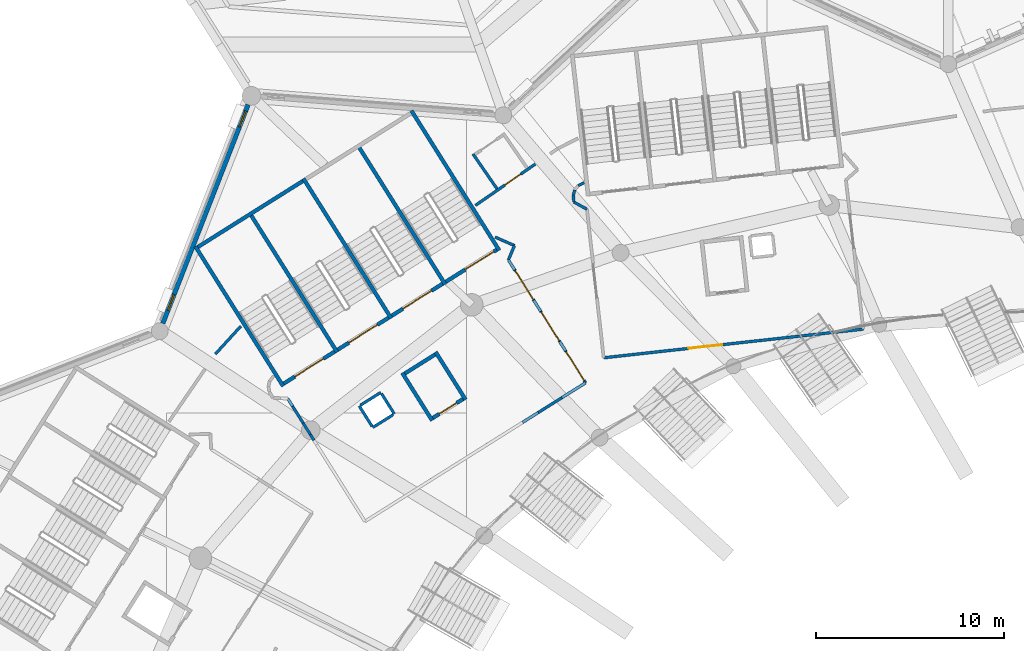
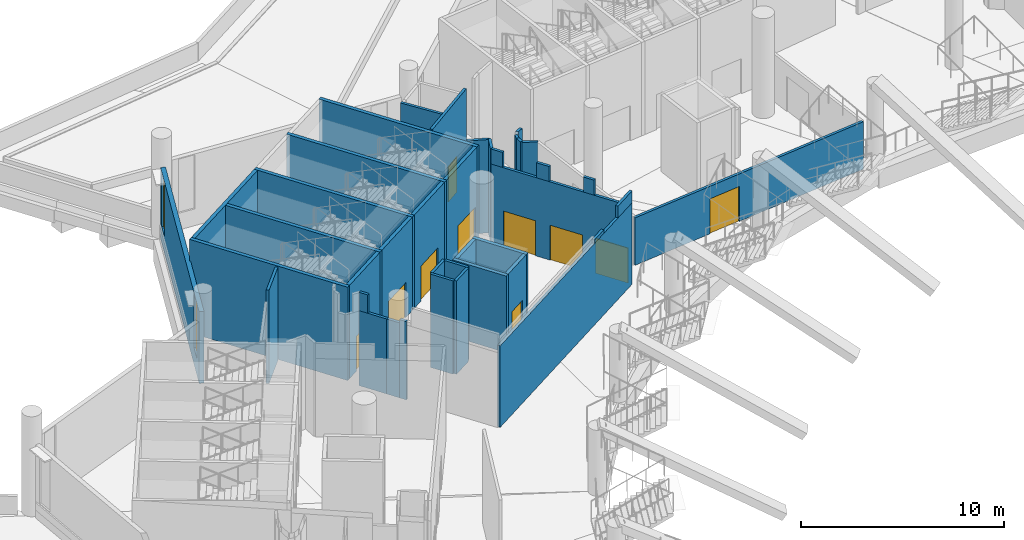
# One storey, part 65 of 173: 40 walls, 10 doors, 2 windows, 12 openings.
"""IFC4 building model written with IfcOpenShell, lengths in metres."""

from ifc_helpers import new_model, si_unit, direction, frame, frame_2d, origin, place, context, subcontext, project, spatial, rectangle, extrude, material, layer, layer_set, type_object, element, fill, save


model = new_model("IFC4")

# Units and contexts
model_context = context("Model", 3, precision=1e-05, world=origin(), true_north=direction((0.0, 1.0)))
body_context = subcontext(model_context, "Body", "Model", "MODEL_VIEW")
ifc_project = project(units=[si_unit("LENGTHUNIT", "METRE"), si_unit("AREAUNIT", "SQUARE_METRE"), si_unit("VOLUMEUNIT", "CUBIC_METRE"), si_unit("PLANEANGLEUNIT", "RADIAN"), si_unit("MASSUNIT", "GRAM", prefix="KILO")], contexts=[model_context])

# Site, building, storey
site_placement = place(None, origin())
site = spatial("IfcSite", under=ifc_project, at=site_placement, CompositionType="ELEMENT")
building_placement = place(site_placement, origin())
building = spatial("IfcBuilding", under=site, at=building_placement, Name="Meseta Stadium", CompositionType="ELEMENT")
storey_placement = place(building_placement, frame((0.0, 0.0, 18.0)))
storey = spatial("IfcBuildingStorey", under=building, at=storey_placement, Name="L03", CompositionType="ELEMENT", Elevation=18.0)

# Walls
ifc_material_1 = material(Name="Concrete C40/50", Category="concrete")
ifc_layer_1 = layer(ifc_material_1, 0.199951171875)
ifc_layer_set_1 = layer_set([ifc_layer_1], Name="Core divider wall 200")
wall_type_1 = type_object("IfcWallType", Name="Core divider wall 200", PredefinedType="SHEAR", material=ifc_layer_set_1)
wall_1_placement = place(storey_placement, frame((-69.8291015625, 94.314453125, 0.0), z_axis=(0.0, 0.0, 1.0), x_axis=(0.532032334759, -0.846724036963, 0.0)))
element("IfcWall", 1, at=wall_1_placement, inside=storey, type_object=wall_type_1, Name="Core 13 L03 stair A divider wall", PredefinedType="SHEAR", context=body_context, shape_type="SweptSolid", body=[
    extrude(rectangle(XDim=8.800048828125, YDim=0.199951171875, at=frame_2d((4.39990234375, 0.0))), origin(), (0.0, 0.0, 1.0), 5.60009765625),
])
wall_2_placement = place(storey_placement, frame((-75.5869140625, 90.696533203125, 0.0), z_axis=(0.0, 0.0, 1.0), x_axis=(0.532044832901, -0.846716183726, 0.0)))
element("IfcWall", 2, at=wall_2_placement, inside=storey, type_object=wall_type_1, Name="Core 13 L03 stair B divider wall", PredefinedType="SHEAR", context=body_context, shape_type="SweptSolid", body=[
    extrude(rectangle(XDim=8.7998046875, YDim=0.199951171875, at=frame_2d((4.39990234375, 0.0))), origin(), (0.0, 0.0, 1.0), 5.60009765625),
])
ifc_material_2 = material(Name="Concrete C40/50", Category="concrete")
ifc_layer_2 = layer(ifc_material_2, 0.199951171875)
ifc_layer_set_2 = layer_set([ifc_layer_2], Name="Core shaft wall 200")
wall_type_2 = type_object("IfcWallType", Name="Core shaft wall 200", PredefinedType="SHEAR", material=ifc_layer_set_2)
for number, where, z_axis, x_axis, name in (
    (3, (-66.9501953125, 96.123291015625, 0.0), (0.0, 0.0, 1.0), (0.532032334759, -0.846724036963, 0.0), "Core 13 L03 stair wall A-side"),
    (4, (-72.7080078125, 92.505615234375, 0.0), (0.0, 0.0, 1.0), (0.532032334759, -0.846724036963, 0.0), "Core 13 L03 stair wall shared"),
    (5, (-78.4658203125, 88.8876953125, 0.0), (0.0, 0.0, 1.0), (0.532032334759, -0.846724036963, 0.0), "Core 13 L03 stair wall B-side"),
):
    element("IfcWall", number, at=place(storey_placement, frame(where, z_axis=z_axis, x_axis=x_axis)), inside=storey, type_object=wall_type_2, Name=name, PredefinedType="SHEAR", context=body_context, shape_type="SweptSolid", body=[
        extrude(rectangle(XDim=8.800048828125, YDim=0.199951171875, at=frame_2d((4.39990234375, 0.0))), origin(), (0.0, 0.0, 1.0), 5.60009765625),
    ])
wall_3_placement = place(storey_placement, frame((-72.739501953125, 92.36767578125, 0.0), z_axis=(0.0, 0.0, 1.0), x_axis=(-0.846719870989, -0.532038964807, 0.0)))
element("IfcWall", 6, at=wall_3_placement, inside=storey, type_object=wall_type_2, Name="Core 13 L03 stair B outer end wall", PredefinedType="SHEAR", context=body_context, shape_type="SweptSolid", body=[
    extrude(rectangle(XDim=6.60009765625, YDim=0.199951171875, at=frame_2d((3.300048828125, 0.0))), origin(), (0.0, 0.0, 1.0), 5.60009765625),
])

# Wall, opening, door
wall_4_placement = place(storey_placement, frame((-62.40625, 88.70361328125, 0.0), z_axis=(0.0, 0.0, 1.0), x_axis=(-0.846735733015, -0.532013720158, 0.0)))
wall_4 = element("IfcWall", 7, at=wall_4_placement, inside=storey, type_object=wall_type_2, Name="Core 13 L03 stair A1 inner end wall", PredefinedType="SHEAR", context=body_context, shape_type="SweptSolid", body=[
    extrude(rectangle(XDim=3.199951171875, YDim=0.199951171875, at=frame_2d((1.60009765625, 0.0))), origin(), (0.0, 0.0, 1.0), 5.60009765625),
])
opening_1_placement = place(wall_4_placement, frame((0.177978515625, 0.0, 0.0)))
opening_1 = element("IfcOpeningElement", 8, at=opening_1_placement, cuts=wall_4, Name="Opening D1352", PredefinedType="OPENING", context=body_context, shape_type="SweptSolid", body=[
    extrude(rectangle(XDim=1.800048828125, YDim=2.10009765625, at=frame_2d((0.89990234375, 1.050048828125))), frame((0.0, 0.10986328125, 0.0), z_axis=(0.0, -1.0, 0.0), x_axis=(1.0, 0.0, 0.0)), (0.0, 0.0, 1.0), 0.219970703125),
])
ifc_material_3 = material(Name="Steel", Category="steel")
door_type_1 = type_object("IfcDoorType", Name="Stair door 1800x2100", OperationType="DOUBLE_DOOR_SINGLE_SWING", PredefinedType="DOOR", material=ifc_material_3)
door_1_placement = place(opening_1_placement, origin())
door_1 = element("IfcDoor", 9, at=door_1_placement, inside=storey, type_object=door_type_1, Name="Stair A1 door 13 L03", OperationType="DOUBLE_DOOR_SINGLE_SWING", OverallHeight=2.10009765625, OverallWidth=1.800048828125, PredefinedType="DOOR", context=body_context, shape_type="SweptSolid", body=[
    extrude(rectangle(XDim=1.800048828125, YDim=2.10009765625, at=frame_2d((0.89990234375, 1.050048828125))), frame((0.0, 0.02490234375, 0.0), z_axis=(0.0, -1.0, 0.0), x_axis=(1.0, 0.0, 0.0)), (0.0, 0.0, 1.0), 0.050048828125),
])
fill(opening_1, door_1)

wall_5_placement = place(storey_placement, frame((-65.28515625, 86.894775390625, 0.0), z_axis=(0.0, 0.0, 1.0), x_axis=(-0.846735733015, -0.532013720158, 0.0)))
wall_5 = element("IfcWall", 10, at=wall_5_placement, inside=storey, type_object=wall_type_2, Name="Core 13 L03 stair A2 inner end wall", PredefinedType="SHEAR", context=body_context, shape_type="SweptSolid", body=[
    extrude(rectangle(XDim=3.199951171875, YDim=0.199951171875, at=frame_2d((1.60009765625, 0.0))), origin(), (0.0, 0.0, 1.0), 5.60009765625),
])
opening_2_placement = place(wall_5_placement, frame((0.699951171875, 0.0, 0.0)))
opening_2 = element("IfcOpeningElement", 11, at=opening_2_placement, cuts=wall_5, Name="Opening D1348", PredefinedType="OPENING", context=body_context, shape_type="SweptSolid", body=[
    extrude(rectangle(XDim=1.800048828125, YDim=2.10009765625, at=frame_2d((0.89990234375, 1.050048828125))), frame((0.0, 0.10986328125, 0.0), z_axis=(0.0, -1.0, 0.0), x_axis=(1.0, 0.0, 0.0)), (0.0, 0.0, 1.0), 0.219970703125),
])
door_2_placement = place(opening_2_placement, origin())
door_2 = element("IfcDoor", 12, at=door_2_placement, inside=storey, type_object=door_type_1, Name="Stair A2 door 13 L03", OperationType="DOUBLE_DOOR_SINGLE_SWING", OverallHeight=2.10009765625, OverallWidth=1.800048828125, PredefinedType="DOOR", context=body_context, shape_type="SweptSolid", body=[
    extrude(rectangle(XDim=1.800048828125, YDim=2.10009765625, at=frame_2d((0.89990234375, 1.050048828125))), frame((0.0, 0.02490234375, 0.0), z_axis=(0.0, -1.0, 0.0), x_axis=(1.0, 0.0, 0.0)), (0.0, 0.0, 1.0), 0.050048828125),
])
fill(opening_2, door_2)

wall_6_placement = place(storey_placement, frame((-68.1640625, 85.0859375, 0.0), z_axis=(0.0, 0.0, 1.0), x_axis=(-0.84670136309, -0.53206841829, 0.0)))
wall_6 = element("IfcWall", 13, at=wall_6_placement, inside=storey, type_object=wall_type_2, Name="Core 13 L03 stair B1 inner end wall", PredefinedType="SHEAR", context=body_context, shape_type="SweptSolid", body=[
    extrude(rectangle(XDim=3.199951171875, YDim=0.199951171875, at=frame_2d((1.60009765625, 0.0))), origin(), (0.0, 0.0, 1.0), 5.60009765625),
])
opening_3_placement = place(wall_6_placement, frame((0.699951171875, 0.0, 0.0)))
opening_3 = element("IfcOpeningElement", 14, at=opening_3_placement, cuts=wall_6, Name="Opening D1346", PredefinedType="OPENING", context=body_context, shape_type="SweptSolid", body=[
    extrude(rectangle(XDim=1.800048828125, YDim=2.10009765625, at=frame_2d((0.89990234375, 1.050048828125))), frame((0.0, 0.10986328125, 0.0), z_axis=(0.0, -1.0, 0.0), x_axis=(1.0, 0.0, 0.0)), (0.0, 0.0, 1.0), 0.219970703125),
])
door_3_placement = place(opening_3_placement, origin())
door_3 = element("IfcDoor", 15, at=door_3_placement, inside=storey, type_object=door_type_1, Name="Stair B1 door 13 L03", OperationType="DOUBLE_DOOR_SINGLE_SWING", OverallHeight=2.10009765625, OverallWidth=1.800048828125, PredefinedType="DOOR", context=body_context, shape_type="SweptSolid", body=[
    extrude(rectangle(XDim=1.800048828125, YDim=2.10009765625, at=frame_2d((0.89990234375, 1.050048828125))), frame((0.0, 0.02490234375, 0.0), z_axis=(0.0, -1.0, 0.0), x_axis=(1.0, 0.0, 0.0)), (0.0, 0.0, 1.0), 0.050048828125),
])
fill(opening_3, door_3)

wall_7_placement = place(storey_placement, frame((-71.04296875, 83.27685546875, 0.0), z_axis=(0.0, 0.0, 1.0), x_axis=(-0.846735733015, -0.532013720158, 0.0)))
wall_7 = element("IfcWall", 16, at=wall_7_placement, inside=storey, type_object=wall_type_2, Name="Core 13 L03 stair B2 inner end wall", PredefinedType="SHEAR", context=body_context, shape_type="SweptSolid", body=[
    extrude(rectangle(XDim=3.199951171875, YDim=0.199951171875, at=frame_2d((1.60009765625, 0.0))), origin(), (0.0, 0.0, 1.0), 5.60009765625),
])
opening_4_placement = place(wall_7_placement, frame((0.699951171875, 0.0, 0.0)))
opening_4 = element("IfcOpeningElement", 17, at=opening_4_placement, cuts=wall_7, Name="Opening D1344", PredefinedType="OPENING", context=body_context, shape_type="SweptSolid", body=[
    extrude(rectangle(XDim=1.800048828125, YDim=2.10009765625, at=frame_2d((0.89990234375, 1.050048828125))), frame((0.0, 0.10986328125, 0.0), z_axis=(0.0, -1.0, 0.0), x_axis=(1.0, 0.0, 0.0)), (0.0, 0.0, 1.0), 0.219970703125),
])
door_4_placement = place(opening_4_placement, origin())
door_4 = element("IfcDoor", 18, at=door_4_placement, inside=storey, type_object=door_type_1, Name="Stair B2 door 13 L03", OperationType="DOUBLE_DOOR_SINGLE_SWING", OverallHeight=2.10009765625, OverallWidth=1.800048828125, PredefinedType="DOOR", context=body_context, shape_type="SweptSolid", body=[
    extrude(rectangle(XDim=1.800048828125, YDim=2.10009765625, at=frame_2d((0.89990234375, 1.050048828125))), frame((0.0, 0.02490234375, 0.0), z_axis=(0.0, -1.0, 0.0), x_axis=(1.0, 0.0, 0.0)), (0.0, 0.0, 1.0), 0.050048828125),
])
fill(opening_4, door_4)

# Walls
wall_8_placement = place(storey_placement, frame((-65.658935546875, 83.260498046875, 0.0), z_axis=(0.0, 0.0, 1.0), x_axis=(0.532074873955, -0.846697306306, 0.0)))
element("IfcWall", 19, at=wall_8_placement, inside=storey, type_object=wall_type_2, Name="Core 13 L03 lift shaft wall left", PredefinedType="SHEAR", context=body_context, shape_type="SweptSolid", body=[
    extrude(rectangle(XDim=3.0, YDim=0.199951171875, at=frame_2d((1.5, 0.0))), origin(), (0.0, 0.0, 1.0), 4.60009765625),
])
wall_9_placement = place(storey_placement, frame((-67.43701171875, 82.143310546875, 0.0), z_axis=(0.0, 0.0, 1.0), x_axis=(0.532038212918, -0.84672034344, 0.0)))
element("IfcWall", 20, at=wall_9_placement, inside=storey, type_object=wall_type_2, Name="Core 13 L03 lift shaft wall right", PredefinedType="SHEAR", context=body_context, shape_type="SweptSolid", body=[
    extrude(rectangle(XDim=3.000244140625, YDim=0.199951171875, at=frame_2d((1.5, 0.0))), origin(), (0.0, 0.0, 1.0), 4.60009765625),
])
wall_10_placement = place(storey_placement, frame((-65.6904296875, 83.122802734375, 0.0), z_axis=(0.0, 0.0, 1.0), x_axis=(-0.846674592738, -0.532111016623, 0.0)))
element("IfcWall", 21, at=wall_10_placement, inside=storey, type_object=wall_type_2, Name="Core 13 L03 lift shaft back wall", PredefinedType="SHEAR", context=body_context, shape_type="SweptSolid", body=[
    extrude(rectangle(XDim=1.89990234375, YDim=0.199951171875, at=frame_2d((0.949951171875, 0.0))), origin(), (0.0, 0.0, 1.0), 4.60009765625),
])

# Wall, opening, door
wall_11_placement = place(storey_placement, frame((-64.20068359375, 80.751708984375, 0.0), z_axis=(0.0, 0.0, 1.0), x_axis=(-0.846768850524, -0.531961007765, 0.0)))
wall_11 = element("IfcWall", 22, at=wall_11_placement, inside=storey, type_object=wall_type_2, Name="Core 13 L03 lift shaft front wall", PredefinedType="SHEAR", context=body_context, shape_type="SweptSolid", body=[
    extrude(rectangle(XDim=1.900146484375, YDim=0.199951171875, at=frame_2d((0.9501953125, 0.0))), origin(), (0.0, 0.0, 1.0), 4.60009765625),
])
opening_5_placement = place(wall_11_placement, frame((0.39990234375, 0.0, 0.0)))
opening_5 = element("IfcOpeningElement", 23, at=opening_5_placement, cuts=wall_11, Name="Opening LD72", PredefinedType="OPENING", context=body_context, shape_type="SweptSolid", body=[
    extrude(rectangle(XDim=1.10009765625, YDim=2.10009765625, at=frame_2d((0.550048828125, 1.050048828125))), frame((0.0, 0.10986328125, 0.0), z_axis=(0.0, -1.0, 0.0), x_axis=(1.0, 0.0, 0.0)), (0.0, 0.0, 1.0), 0.219970703125),
])
ifc_material_4 = material(Name="Steel", Category="steel")
door_type_2 = type_object("IfcDoorType", Name="Lift landing door 1100x2100", OperationType="SLIDING_TO_LEFT", PredefinedType="DOOR", material=ifc_material_4)
door_5_placement = place(opening_5_placement, origin())
door_5 = element("IfcDoor", 24, at=door_5_placement, inside=storey, type_object=door_type_2, Name="Lift landing door LD72", OperationType="SLIDING_TO_RIGHT", OverallHeight=2.10009765625, OverallWidth=1.10009765625, PredefinedType="DOOR", context=body_context, shape_type="SweptSolid", body=[
    extrude(rectangle(XDim=1.10009765625, YDim=2.10009765625, at=frame_2d((0.550048828125, 1.050048828125))), frame((0.0, 0.02490234375, 0.0), z_axis=(0.0, -1.0, 0.0), x_axis=(1.0, 0.0, 0.0)), (0.0, 0.0, 1.0), 0.050048828125),
])
fill(opening_5, door_5)

ifc_material_5 = material(Name="Masonry blockwork", Category="masonry")
ifc_layer_3 = layer(ifc_material_5, 0.14990234375)
ifc_layer_set_3 = layer_set([ifc_layer_3], Name="Partition 150")
wall_type_3 = type_object("IfcWallType", Name="Partition 150", PredefinedType="PARTITIONING", material=ifc_layer_set_3)
wall_12_placement = place(storey_placement, frame((-60.348388671875, 93.272216796875, 0.0), z_axis=(0.0, 0.0, 1.0), x_axis=(-0.823118384127, -0.567869814053, 0.0)))
wall_12 = element("IfcWall", 25, at=wall_12_placement, inside=storey, type_object=wall_type_3, Name="Partition L03 L03-cell11-1-0", PredefinedType="PARTITIONING", context=body_context, shape_type="SweptSolid", body=[
    extrude(rectangle(XDim=3.876708984375, YDim=0.14990234375, at=frame_2d((1.9384765625, 0.0))), origin(), (0.0, 0.0, 1.0), 5.60009765625),
])
opening_6_placement = place(wall_12_placement, frame((0.949951171875, 0.0, 0.0)))
opening_6 = element("IfcOpeningElement", 26, at=opening_6_placement, cuts=wall_12, Name="Opening D1355", PredefinedType="OPENING", context=body_context, shape_type="SweptSolid", body=[
    extrude(rectangle(XDim=1.0, YDim=2.10009765625, at=frame_2d((0.5, 1.050048828125))), frame((0.0, 0.0849609375, 0.0), z_axis=(0.0, -1.0, 0.0), x_axis=(1.0, 0.0, 0.0)), (0.0, 0.0, 1.0), 0.169921875),
])
ifc_material_6 = material(Name="Steel", Category="steel")
door_type_3 = type_object("IfcDoorType", Name="Fire door 1000x2100 EI2 60", OperationType="NOTDEFINED", PredefinedType="DOOR", material=ifc_material_6)
door_6_placement = place(opening_6_placement, origin())
door_6 = element("IfcDoor", 27, at=door_6_placement, inside=storey, type_object=door_type_3, Name="Room door L03 L03-cell11-1-0", OperationType="SINGLE_SWING_LEFT", OverallHeight=2.10009765625, OverallWidth=1.0, PredefinedType="DOOR", context=body_context, shape_type="SweptSolid", body=[
    extrude(rectangle(XDim=1.0, YDim=2.10009765625, at=frame_2d((0.5, 1.050048828125))), frame((0.0, 0.02490234375, 0.0), z_axis=(0.0, -1.0, 0.0), x_axis=(1.0, 0.0, 0.0)), (0.0, 0.0, 1.0), 0.050048828125),
])
fill(opening_6, door_6)

# Walls
wall_13_placement = place(storey_placement, frame((-76.033935546875, 84.6416015625, 0.0), z_axis=(0.0, 0.0, 1.0), x_axis=(-0.674206513209, -0.738542874548, 0.0)))
element("IfcWall", 28, at=wall_13_placement, inside=storey, type_object=wall_type_3, Name="Partition L03 L03-cell12-1-0", PredefinedType="PARTITIONING", context=body_context, shape_type="SweptSolid", body=[
    extrude(rectangle(XDim=2.0263671875, YDim=0.14990234375, at=frame_2d((1.01318359375, 0.0))), origin(), (0.0, 0.0, 1.0), 5.60009765625),
])
wall_14_placement = place(storey_placement, frame((-57.74609375, 92.279296875, 0.0), z_axis=(0.0, 0.0, 1.0), x_axis=(-0.893189909604, -0.449679647506, 0.0)))
element("IfcWall", 29, at=wall_14_placement, inside=storey, type_object=wall_type_3, Name="Stair vestibule wall L03 core 12", PredefinedType="PARTITIONING", context=body_context, shape_type="SweptSolid", body=[
    extrude(rectangle(XDim=0.356201171875, YDim=0.14990234375, at=frame_2d((0.17822265625, 0.0))), origin(), (0.0, 0.0, 1.0), 2.913818359375),
])
wall_15_placement = place(storey_placement, frame((-58.241943359375, 91.896484375, 0.0), z_axis=(0.0, 0.0, 1.0), x_axis=(-0.277006965163, -0.960867910408, 0.0)))
element("IfcWall", 30, at=wall_15_placement, inside=storey, type_object=wall_type_3, Name="Stair vestibule wall L03 core 12", PredefinedType="PARTITIONING", context=body_context, shape_type="SweptSolid", body=[
    extrude(rectangle(XDim=0.281982421875, YDim=0.14990234375, at=frame_2d((0.14111328125, 0.0))), origin(), (0.0, 0.0, 1.0), 2.913818359375),
])
wall_16_placement = place(storey_placement, frame((-58.320068359375, 91.62548828125, 0.0), z_axis=(0.0, 0.0, 1.0), x_axis=(0.07351223589, -0.997294315222, 0.0)))
element("IfcWall", 31, at=wall_16_placement, inside=storey, type_object=wall_type_3, Name="Stair vestibule wall L03 core 12", PredefinedType="PARTITIONING", context=body_context, shape_type="SweptSolid", body=[
    extrude(rectangle(XDim=0.375244140625, YDim=0.14990234375, at=frame_2d((0.1875, 0.0))), origin(), (0.0, 0.0, 1.0), 2.913818359375),
])
wall_17_placement = place(storey_placement, frame((-58.29248046875, 91.251220703125, 0.0), z_axis=(0.0, 0.0, 1.0), x_axis=(0.876874903877, -0.48071863179, 0.0)))
element("IfcWall", 32, at=wall_17_placement, inside=storey, type_object=wall_type_3, Name="Stair vestibule wall L03 core 12", PredefinedType="PARTITIONING", context=body_context, shape_type="SweptSolid", body=[
    extrude(rectangle(XDim=0.796875, YDim=0.14990234375, at=frame_2d((0.3984375, 0.0))), origin(), (0.0, 0.0, 1.0), 2.913818359375),
])

# Wall, opening, door
wall_18_placement = place(storey_placement, frame((-56.701416015625, 82.94921875, 0.0), z_axis=(0.0, 0.0, 1.0), x_axis=(0.993954751051, 0.109790495325, 0.0)))
wall_18 = element("IfcWall", 33, at=wall_18_placement, inside=storey, type_object=wall_type_3, Name="Stair vestibule wall L03 core 12", PredefinedType="PARTITIONING", context=body_context, shape_type="SweptSolid", body=[
    extrude(rectangle(XDim=13.92041015625, YDim=0.14990234375, at=frame_2d((6.960205078125, 0.0))), origin(), (0.0, 0.0, 1.0), 2.85009765625),
])
opening_7_placement = place(wall_18_placement, frame((4.550048828125, 0.0, 0.0)))
opening_7 = element("IfcOpeningElement", 34, at=opening_7_placement, cuts=wall_18, Name="Opening D1366", PredefinedType="OPENING", context=body_context, shape_type="SweptSolid", body=[
    extrude(rectangle(XDim=1.800048828125, YDim=2.10009765625, at=frame_2d((0.89990234375, 1.050048828125))), frame((0.0, 0.0849609375, 0.0), z_axis=(0.0, -1.0, 0.0), x_axis=(1.0, 0.0, 0.0)), (0.0, 0.0, 1.0), 0.169921875),
])
ifc_material_7 = material(Name="Steel", Category="steel")
door_type_4 = type_object("IfcDoorType", Name="Fire double door 1800x2100 EI2 60", OperationType="DOUBLE_DOOR_SINGLE_SWING", PredefinedType="DOOR", material=ifc_material_7)
door_7_placement = place(opening_7_placement, origin())
door_7 = element("IfcDoor", 35, at=door_7_placement, inside=storey, type_object=door_type_4, Name="Stair vestibule door L03 core 12", OperationType="DOUBLE_DOOR_SINGLE_SWING", OverallHeight=2.10009765625, OverallWidth=1.800048828125, PredefinedType="DOOR", context=body_context, shape_type="SweptSolid", body=[
    extrude(rectangle(XDim=1.800048828125, YDim=2.10009765625, at=frame_2d((0.89990234375, 1.050048828125))), frame((0.0, 0.02490234375, 0.0), z_axis=(0.0, -1.0, 0.0), x_axis=(1.0, 0.0, 0.0)), (0.0, 0.0, 1.0), 0.050048828125),
])
fill(opening_7, door_7)

# Walls
for number, where, z_axis, x_axis, name in (
    (36, (-68.58203125, 81.09912109375, 0.0), (0.0, 0.0, 1.0), (-0.846683377265, -0.532097038765, 0.0), "Pressurisation shaft wall L03 core 13"),
    (37, (-69.72509765625, 80.380859375, 0.0), (0.0, 0.0, 1.0), (0.532097038765, -0.846683377265, 0.0), "Pressurisation shaft wall L03 core 13"),
):
    element("IfcWall", number, at=place(storey_placement, frame(where, z_axis=z_axis, x_axis=x_axis)), inside=storey, type_object=wall_type_3, Name=name, PredefinedType="PARTITIONING", context=body_context, shape_type="SweptSolid", body=[
        extrude(rectangle(XDim=1.275146484375, YDim=0.14990234375, at=frame_2d((0.6376953125, 0.0))), origin(), (0.0, 0.0, 1.0), 5.60009765625),
    ])
for number, where, z_axis, x_axis, name in (
    (38, (-69.0068359375, 79.23779296875, 0.0), (0.0, 0.0, 1.0), (0.846769635862, 0.531959757672, 0.0), "Pressurisation shaft wall L03 core 13"),
    (39, (-67.86376953125, 79.9560546875, 0.0), (0.0, 0.0, 1.0), (-0.531959757672, 0.846769635862, 0.0), "Pressurisation shaft wall L03 core 13"),
):
    element("IfcWall", number, at=place(storey_placement, frame(where, z_axis=z_axis, x_axis=x_axis)), inside=storey, type_object=wall_type_3, Name=name, PredefinedType="PARTITIONING", context=body_context, shape_type="SweptSolid", body=[
        extrude(rectangle(XDim=1.27490234375, YDim=0.14990234375, at=frame_2d((0.637451171875, 0.0))), origin(), (0.0, 0.0, 1.0), 5.60009765625),
    ])
wall_19_placement = place(storey_placement, frame((-73.539306640625, 80.774658203125, 0.0), z_axis=(0.0, 0.0, 1.0), x_axis=(0.532103006557, -0.846679626785, 0.0)))
element("IfcWall", 40, at=wall_19_placement, inside=storey, type_object=wall_type_3, Name="Stair vestibule wall L03 core 13", PredefinedType="PARTITIONING", context=body_context, shape_type="SweptSolid", body=[
    extrude(rectangle(XDim=1.531982421875, YDim=0.14990234375, at=frame_2d((0.76611328125, 0.0))), origin(), (0.0, 0.0, 1.0), 4.5),
])
wall_20_placement = place(storey_placement, frame((-73.539306640625, 80.774658203125, 4.5), z_axis=(0.0, 0.0, 1.0), x_axis=(0.532357724529, -0.846519493653, 0.0)))
element("IfcWall", 41, at=wall_20_placement, inside=storey, type_object=wall_type_3, Name="Stair vestibule wall L03 core 13", PredefinedType="PARTITIONING", context=body_context, shape_type="SweptSolid", body=[
    extrude(rectangle(XDim=0.4833984375, YDim=0.14990234375, at=frame_2d((0.24169921875, 0.0))), origin(), (0.0, 0.0, 1.0), 1.10009765625),
])
wall_21_placement = place(storey_placement, frame((-69.425048828125, 74.227294921875, 0.0), z_axis=(0.0, 0.0, 1.0), x_axis=(0.84672500752, 0.532030790124, 0.0)))
element("IfcWall", 42, at=wall_21_placement, inside=storey, type_object=wall_type_3, Name="Stair vestibule wall L03 core 13", PredefinedType="PARTITIONING", context=body_context, shape_type="SweptSolid", body=[
    extrude(rectangle(XDim=13.889892578125, YDim=0.14990234375, at=frame_2d((6.94482421875, 0.0))), origin(), (0.0, 0.0, 1.0), 4.893798828125),
])
wall_22_placement = place(storey_placement, frame((-61.0244140625, 79.505615234375, 4.893798828125), z_axis=(0.0, 0.0, 1.0), x_axis=(0.846737900462, 0.532010270503, 0.0)))
element("IfcWall", 43, at=wall_22_placement, inside=storey, type_object=wall_type_3, Name="Stair vestibule wall L03 core 13", PredefinedType="PARTITIONING", context=body_context, shape_type="SweptSolid", body=[
    extrude(rectangle(XDim=0.9921875, YDim=0.14990234375, at=frame_2d((0.49609375, 0.0))), origin(), (0.0, 0.0, 1.0), 0.208740234375),
])
wall_23_placement = place(storey_placement, frame((-58.92431640625, 80.8251953125, 4.893798828125), z_axis=(0.0, 0.0, 1.0), x_axis=(0.846687220735, 0.532090922911, 0.0)))
element("IfcWall", 44, at=wall_23_placement, inside=storey, type_object=wall_type_3, Name="Stair vestibule wall L03 core 13", PredefinedType="PARTITIONING", context=body_context, shape_type="SweptSolid", body=[
    extrude(rectangle(XDim=1.488525390625, YDim=0.14990234375, at=frame_2d((0.744140625, 0.0))), origin(), (0.0, 0.0, 1.0), 0.706298828125),
])

# Wall, openings, doors
wall_24_placement = place(storey_placement, frame((-57.6640625, 81.6171875, 0.0), z_axis=(0.0, 0.0, 1.0), x_axis=(-0.531998245041, 0.84674545601, 0.0)))
wall_24 = element("IfcWall", 45, at=wall_24_placement, inside=storey, type_object=wall_type_3, Name="Stair vestibule wall L03 core 13", PredefinedType="PARTITIONING", context=body_context, shape_type="SweptSolid", body=[
    extrude(rectangle(XDim=7.732666015625, YDim=0.14990234375, at=frame_2d((3.8662109375, 0.0))), origin(), (0.0, 0.0, 1.0), 4.699951171875),
])
opening_8_placement = place(wall_24_placement, frame((2.64990234375, 0.0, 0.0)))
opening_8 = element("IfcOpeningElement", 46, at=opening_8_placement, cuts=wall_24, Name="Opening D1357", PredefinedType="OPENING", context=body_context, shape_type="SweptSolid", body=[
    extrude(rectangle(XDim=1.800048828125, YDim=2.10009765625, at=frame_2d((0.89990234375, 1.050048828125))), frame((0.0, 0.0849609375, 0.0), z_axis=(0.0, -1.0, 0.0), x_axis=(1.0, 0.0, 0.0)), (0.0, 0.0, 1.0), 0.169921875),
])
opening_9_placement = place(wall_24_placement, frame((5.25, 0.0, 0.0)))
opening_9 = element("IfcOpeningElement", 47, at=opening_9_placement, cuts=wall_24, Name="Opening D1356", PredefinedType="OPENING", context=body_context, shape_type="SweptSolid", body=[
    extrude(rectangle(XDim=1.800048828125, YDim=2.10009765625, at=frame_2d((0.89990234375, 1.050048828125))), frame((0.0, 0.0849609375, 0.0), z_axis=(0.0, -1.0, 0.0), x_axis=(1.0, 0.0, 0.0)), (0.0, 0.0, 1.0), 0.169921875),
])
opening_10_placement = place(wall_24_placement, frame((0.14990234375, 0.0, 0.0)))
opening_10 = element("IfcOpeningElement", 48, at=opening_10_placement, cuts=wall_24, Name="Opening D1359", PredefinedType="OPENING", context=body_context, shape_type="SweptSolid", body=[
    extrude(rectangle(XDim=1.800048828125, YDim=2.10009765625, at=frame_2d((0.89990234375, 1.050048828125))), frame((0.0, 0.0849609375, 0.0), z_axis=(0.0, -1.0, 0.0), x_axis=(1.0, 0.0, 0.0)), (0.0, 0.0, 1.0), 0.169921875),
])
door_8_placement = place(opening_8_placement, origin())
door_8 = element("IfcDoor", 49, at=door_8_placement, inside=storey, type_object=door_type_4, Name="Stair vestibule door L03 core 13", OperationType="DOUBLE_DOOR_SINGLE_SWING", OverallHeight=2.10009765625, OverallWidth=1.800048828125, PredefinedType="DOOR", context=body_context, shape_type="SweptSolid", body=[
    extrude(rectangle(XDim=1.800048828125, YDim=2.10009765625, at=frame_2d((0.89990234375, 1.050048828125))), frame((0.0, 0.02490234375, 0.0), z_axis=(0.0, -1.0, 0.0), x_axis=(1.0, 0.0, 0.0)), (0.0, 0.0, 1.0), 0.050048828125),
])
fill(opening_8, door_8)
door_9_placement = place(opening_9_placement, origin())
door_9 = element("IfcDoor", 50, at=door_9_placement, inside=storey, type_object=door_type_4, Name="Stair vestibule door L03 core 13", OperationType="DOUBLE_DOOR_SINGLE_SWING", OverallHeight=2.10009765625, OverallWidth=1.800048828125, PredefinedType="DOOR", context=body_context, shape_type="SweptSolid", body=[
    extrude(rectangle(XDim=1.800048828125, YDim=2.10009765625, at=frame_2d((0.89990234375, 1.050048828125))), frame((0.0, 0.02490234375, 0.0), z_axis=(0.0, -1.0, 0.0), x_axis=(1.0, 0.0, 0.0)), (0.0, 0.0, 1.0), 0.050048828125),
])
fill(opening_9, door_9)
door_10_placement = place(opening_10_placement, origin())
door_10 = element("IfcDoor", 51, at=door_10_placement, inside=storey, type_object=door_type_4, Name="Stair vestibule door L03 core 13", OperationType="DOUBLE_DOOR_SINGLE_SWING", OverallHeight=2.10009765625, OverallWidth=1.800048828125, PredefinedType="DOOR", context=body_context, shape_type="SweptSolid", body=[
    extrude(rectangle(XDim=1.800048828125, YDim=2.10009765625, at=frame_2d((0.89990234375, 1.050048828125))), frame((0.0, 0.02490234375, 0.0), z_axis=(0.0, -1.0, 0.0), x_axis=(1.0, 0.0, 0.0)), (0.0, 0.0, 1.0), 0.050048828125),
])
fill(opening_10, door_10)

# Walls
wall_25_placement = place(storey_placement, frame((-60.05810546875, 85.427490234375, 4.699951171875), z_axis=(0.0, 0.0, 1.0), x_axis=(-0.531878658438, 0.846820578811, 0.0)))
element("IfcWall", 52, at=wall_25_placement, inside=storey, type_object=wall_type_3, Name="Stair vestibule wall L03 core 13", PredefinedType="PARTITIONING", context=body_context, shape_type="SweptSolid", body=[
    extrude(rectangle(XDim=0.699951171875, YDim=0.14990234375, at=frame_2d((0.35009765625, 0.0))), origin(), (0.0, 0.0, 1.0), 0.900146484375),
])
wall_26_placement = place(storey_placement, frame((-61.44140625, 87.62890625, 4.699951171875), z_axis=(0.0, 0.0, 1.0), x_axis=(-0.53169733716, 0.846934437638, 0.0)))
element("IfcWall", 53, at=wall_26_placement, inside=storey, type_object=wall_type_3, Name="Stair vestibule wall L03 core 13", PredefinedType="PARTITIONING", context=body_context, shape_type="SweptSolid", body=[
    extrude(rectangle(XDim=0.6328125, YDim=0.14990234375, at=frame_2d((0.31640625, 0.0))), origin(), (0.0, 0.0, 1.0), 0.900146484375),
])
wall_27_placement = place(storey_placement, frame((-61.77783203125, 88.164794921875, 0.0), z_axis=(0.0, 0.0, 1.0), x_axis=(0.385241733665, 0.92281569484, 0.0)))
element("IfcWall", 54, at=wall_27_placement, inside=storey, type_object=wall_type_3, Name="Stair vestibule wall L03 core 13", PredefinedType="PARTITIONING", context=body_context, shape_type="SweptSolid", body=[
    extrude(rectangle(XDim=0.830078125, YDim=0.14990234375, at=frame_2d((0.4150390625, 0.0))), origin(), (0.0, 0.0, 1.0), 5.60009765625),
])
wall_28_placement = place(storey_placement, frame((-61.4580078125, 88.930908203125, 0.0), z_axis=(0.0, 0.0, 1.0), x_axis=(-0.916321285773, 0.400443880263, 0.0)))
element("IfcWall", 55, at=wall_28_placement, inside=storey, type_object=wall_type_3, Name="Stair vestibule wall L03 core 13", PredefinedType="PARTITIONING", context=body_context, shape_type="SweptSolid", body=[
    extrude(rectangle(XDim=1.127197265625, YDim=0.14990234375, at=frame_2d((0.5634765625, 0.0))), origin(), (0.0, 0.0, 1.0), 5.60009765625),
])
wall_29_placement = place(storey_placement, frame((-72.72412109375, 79.4775390625, 0.0), z_axis=(0.0, 0.0, 1.0), x_axis=(0.531986173683, -0.846753040154, 0.0)))
element("IfcWall", 56, at=wall_29_placement, inside=storey, type_object=wall_type_3, Name="Stair vestibule wall L03 core 13", PredefinedType="PARTITIONING", context=body_context, shape_type="SweptSolid", body=[
    extrude(rectangle(XDim=0.728271484375, YDim=0.14990234375, at=frame_2d((0.3642578125, 0.0))), origin(), (0.0, 0.0, 1.0), 4.5),
])
wall_30_placement = place(storey_placement, frame((-72.336669921875, 78.86083984375, 0.0), z_axis=(0.0, 0.0, 1.0), x_axis=(0.532226455425, -0.84660203174, 0.0)))
element("IfcWall", 57, at=wall_30_placement, inside=storey, type_object=wall_type_3, Name="Stair vestibule wall L03 core 13", PredefinedType="PARTITIONING", context=body_context, shape_type="SweptSolid", body=[
    extrude(rectangle(XDim=0.3642578125, YDim=0.14990234375, at=frame_2d((0.18212890625, 0.0))), origin(), (0.0, 0.0, 1.0), 4.699951171875),
])
wall_31_placement = place(storey_placement, frame((-62.38720703125, 91.956787109375, 0.0), z_axis=(0.0, 0.0, 1.0), x_axis=(-0.567877492691, 0.823113086578, 0.0)))
element("IfcWall", 58, at=wall_31_placement, inside=storey, type_object=wall_type_3, Name="Partition L03 L03-cell11-1-0 vestibule", PredefinedType="PARTITIONING", context=body_context, shape_type="SweptSolid", body=[
    extrude(rectangle(XDim=2.249755859375, YDim=0.14990234375, at=frame_2d((1.125, 0.0))), origin(), (0.0, 0.0, 1.0), 5.60009765625),
])
wall_32_placement = place(storey_placement, frame((-58.72802734375, 83.310546875, 4.699951171875), z_axis=(0.0, 0.0, 1.0), x_axis=(-0.532154880846, 0.846647023731, 0.0)))
element("IfcWall", 59, at=wall_32_placement, inside=storey, type_object=wall_type_3, Name="Stair vestibule wall L03 core 13", PredefinedType="PARTITIONING", context=body_context, shape_type="SweptSolid", body=[
    extrude(rectangle(XDim=0.60009765625, YDim=0.14990234375, at=frame_2d((0.300048828125, 0.0))), origin(), (0.0, 0.0, 1.0), 0.900146484375),
])

# Wall, openings, windows
ifc_material_8 = material(Name="White precast concrete C40/50", Category="concrete")
ifc_layer_4 = layer(ifc_material_8, 0.25)
ifc_layer_set_4 = layer_set([ifc_layer_4], Name="Pleated panel wall 250")
wall_type_4 = type_object("IfcWallType", Name="Pleated panel wall 250", PredefinedType="SOLIDWALL", material=ifc_layer_set_4)
wall_33_placement = place(storey_placement, frame((-80.2021484375, 84.784423828125, 0.0), z_axis=(0.0, 0.0, 1.0), x_axis=(0.363293457312, 0.931674762927, 0.0)))
wall_33 = element("IfcWall", 60, at=wall_33_placement, inside=storey, type_object=wall_type_4, Name="Pleated facade panel L03 F24", PredefinedType="SOLIDWALL", context=body_context, shape_type="SweptSolid", body=[
    extrude(rectangle(XDim=12.513671875, YDim=0.25, at=frame_2d((6.2568359375, 0.0))), origin(), (0.0, 0.0, 1.0), 4.300048828125),
])
opening_11_placement = place(wall_33_placement, frame((0.750244140625, 0.0, 1.0)))
opening_11 = element("IfcOpeningElement", 61, at=opening_11_placement, cuts=wall_33, Name="Opening W080", PredefinedType="OPENING", context=body_context, shape_type="SweptSolid", body=[
    extrude(rectangle(XDim=0.89990234375, YDim=3.25, at=frame_2d((0.449951171875, 1.625))), frame((0.0, 0.135009765625, 0.0), z_axis=(0.0, -1.0, 0.0), x_axis=(1.0, 0.0, 0.0)), (0.0, 0.0, 1.0), 0.27001953125),
])
opening_12_placement = place(wall_33_placement, frame((11.250244140625, 0.0, 1.0)))
opening_12 = element("IfcOpeningElement", 62, at=opening_12_placement, cuts=wall_33, Name="Opening W081", PredefinedType="OPENING", context=body_context, shape_type="SweptSolid", body=[
    extrude(rectangle(XDim=0.89990234375, YDim=3.25, at=frame_2d((0.449951171875, 1.625))), frame((0.0, 0.135009765625, 0.0), z_axis=(0.0, -1.0, 0.0), x_axis=(1.0, 0.0, 0.0)), (0.0, 0.0, 1.0), 0.27001953125),
])
ifc_material_9 = material(Name="Aluminium", Category="aluminium")
window_type = type_object("IfcWindowType", Name="Slot window 900x3250", PartitioningType="SINGLE_PANEL", PredefinedType="WINDOW", material=ifc_material_9)
window_1_placement = place(opening_11_placement, origin())
window_1 = element("IfcWindow", 63, at=window_1_placement, inside=storey, type_object=window_type, Name="Slot window L03 F24.1", OverallHeight=3.25, OverallWidth=0.89990234375, PartitioningType="SINGLE_PANEL", PredefinedType="WINDOW", context=body_context, shape_type="SweptSolid", body=[
    extrude(rectangle(XDim=0.89990234375, YDim=3.25, at=frame_2d((0.449951171875, 1.625))), frame((0.0, 0.030029296875, 0.0), z_axis=(0.0, -1.0, 0.0), x_axis=(1.0, 0.0, 0.0)), (0.0, 0.0, 1.0), 0.06005859375),
])
fill(opening_11, window_1)
window_2_placement = place(opening_12_placement, origin())
window_2 = element("IfcWindow", 64, at=window_2_placement, inside=storey, type_object=window_type, Name="Slot window L03 F24.6", OverallHeight=3.25, OverallWidth=0.89990234375, PartitioningType="SINGLE_PANEL", PredefinedType="WINDOW", context=body_context, shape_type="SweptSolid", body=[
    extrude(rectangle(XDim=0.89990234375, YDim=3.25, at=frame_2d((0.449951171875, 1.625))), frame((0.0, 0.030029296875, 0.0), z_axis=(0.0, -1.0, 0.0), x_axis=(1.0, 0.0, 0.0)), (0.0, 0.0, 1.0), 0.06005859375),
])
fill(opening_12, window_2)

save(model, "model.ifc")
